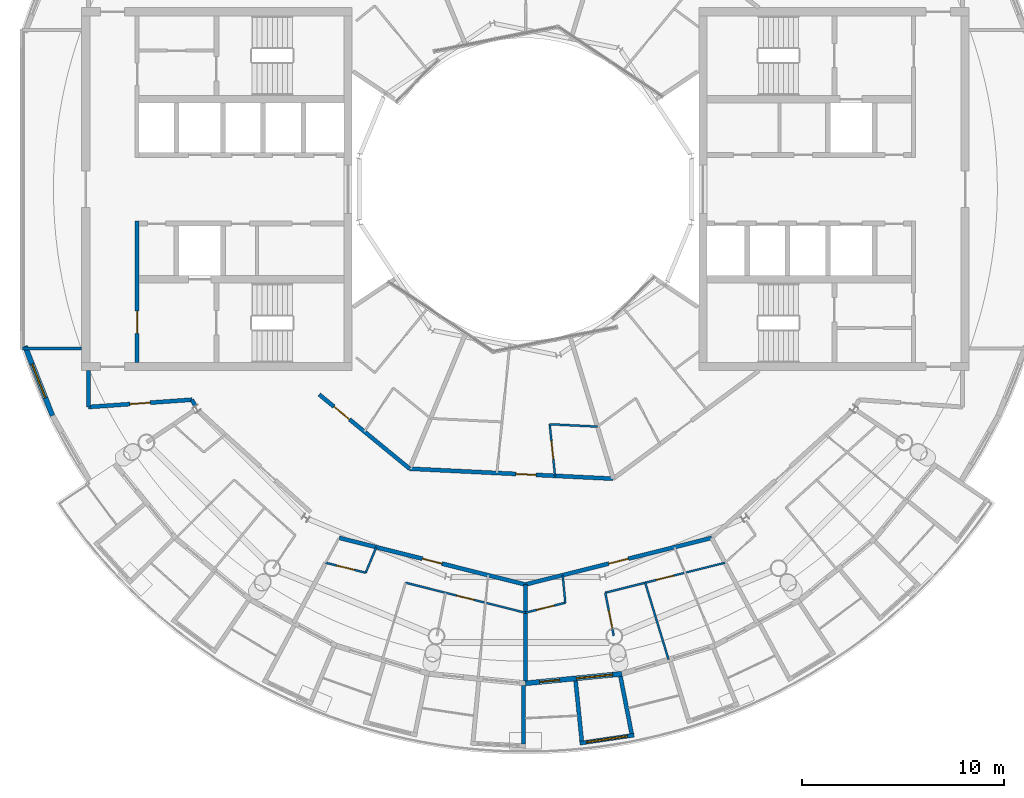
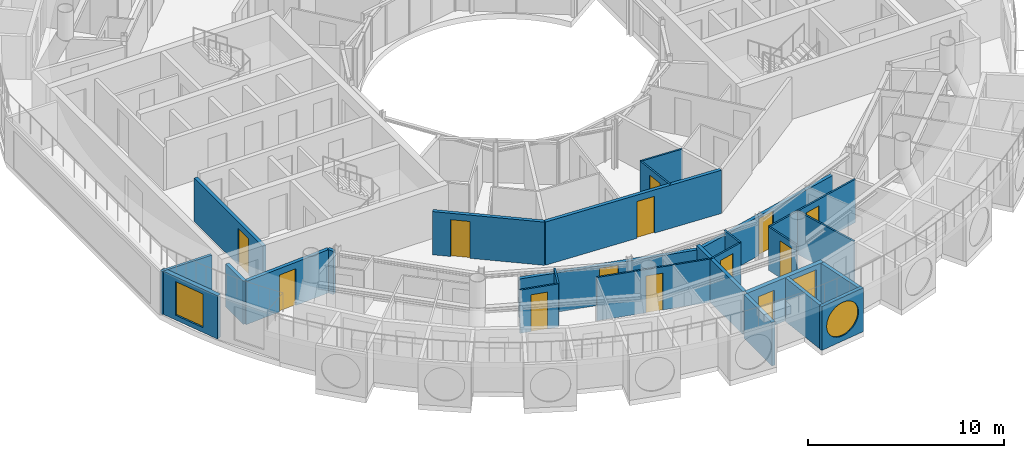
# One storey, part 13 of 25: 26 walls, 13 doors, 3 windows, 16 openings.
"""IFC4 building model written with IfcOpenShell, lengths in metres."""

from ifc_helpers import new_model, si_unit, direction, frame, frame_2d, origin, place, context, subcontext, project, spatial, rectangle, circle, extrude, material, layer, layer_set, type_object, element, fill, save


model = new_model("IFC4")

# Units and contexts
model_context = context("Model", 3, precision=1e-05, world=origin(), true_north=direction((0.0, 1.0)))
body_context = subcontext(model_context, "Body", "Model", "MODEL_VIEW")
ifc_project = project(units=[si_unit("LENGTHUNIT", "METRE"), si_unit("AREAUNIT", "SQUARE_METRE"), si_unit("VOLUMEUNIT", "CUBIC_METRE"), si_unit("PLANEANGLEUNIT", "RADIAN"), si_unit("MASSUNIT", "GRAM", prefix="KILO")], contexts=[model_context])

# Site, building, storey
site_placement = place(None, origin())
site = spatial("IfcSite", under=ifc_project, at=site_placement, CompositionType="ELEMENT")
building_placement = place(site_placement, origin())
building = spatial("IfcBuilding", under=site, at=building_placement, Name="Maasbend Ring Residences", CompositionType="ELEMENT")
storey_placement = place(building_placement, frame((0.0, 0.0, 246.25)))
storey = spatial("IfcBuildingStorey", under=building, at=storey_placement, Name="L71", CompositionType="ELEMENT", Elevation=246.25)

# Wall
ifc_material_1 = material(Name="Concrete C30/37", Category="concrete")
ifc_layer_1 = layer(ifc_material_1, 0.199951171875)
ifc_layer_set_1 = layer_set([ifc_layer_1], Name="Concrete C30/37")
wall_type_1 = type_object("IfcWallType", Name="CORRIDOR WALL 200 CONCRETE", PredefinedType="PARTITIONING", material=ifc_layer_set_1)
wall_1_placement = place(storey_placement, frame((-16.534912109375, -10.43701171875, 0.0), z_axis=(0.0, 0.0, 1.0), x_axis=(0.465802239822, -0.884888848035, 0.0)))
element("IfcWall", 1, at=wall_1_placement, inside=storey, type_object=wall_type_1, Name="U-L71-w011", PredefinedType="PARTITIONING", context=body_context, shape_type="SweptSolid", body=[
    extrude(rectangle(XDim=0.360595703125, YDim=0.199951171875, at=frame_2d((0.18017578125, 0.0))), origin(), (0.0, 0.0, 1.0), 2.699951171875),
])

# Wall, opening, door
wall_2_placement = place(storey_placement, frame((-9.237060546875, -17.287109375, 0.0), z_axis=(0.0, 0.0, 1.0), x_axis=(0.970050470638, -0.242903446691, 0.0)))
wall_2 = element("IfcWall", 2, at=wall_2_placement, inside=storey, type_object=wall_type_1, Name="U-L71-w014", PredefinedType="PARTITIONING", context=body_context, shape_type="SweptSolid", body=[
    extrude(rectangle(XDim=9.5263671875, YDim=0.199951171875, at=frame_2d((4.76318359375, 0.0))), origin(), (0.0, 0.0, 1.0), 2.449951171875),
])
opening_1_placement = place(wall_2_placement, frame((4.260009765625, 0.0, 0.0)))
opening_1 = element("IfcOpeningElement", 3, at=opening_1_placement, cuts=wall_2, Name="Opening D-7137", PredefinedType="OPENING", context=body_context, shape_type="SweptSolid", body=[
    extrude(rectangle(XDim=1.0, YDim=2.300048828125, at=frame_2d((0.5, 1.14990234375))), frame((0.0, 0.10986328125, 0.0), z_axis=(0.0, -1.0, 0.0), x_axis=(1.0, 0.0, 0.0)), (0.0, 0.0, 1.0), 0.219970703125),
])
ifc_material_2 = material(Name="Timber, fire-rated, painted", Category="wood")
door_type_1 = type_object("IfcDoorType", Name="FLAT ENTRANCE DOOR 1000 X 2300 FIRE-RATED", OperationType="NOTDEFINED", PredefinedType="DOOR", material=ifc_material_2)
door_1_placement = place(opening_1_placement, origin())
door_1 = element("IfcDoor", 4, at=door_1_placement, inside=storey, type_object=door_type_1, Name="D-7137", OperationType="SINGLE_SWING_LEFT", OverallHeight=2.300048828125, OverallWidth=1.0, PredefinedType="DOOR", context=body_context, shape_type="SweptSolid", body=[
    extrude(rectangle(XDim=1.0, YDim=2.300048828125, at=frame_2d((0.5, 1.14990234375))), frame((0.0, 0.02490234375, 0.0), z_axis=(0.0, -1.0, 0.0), x_axis=(1.0, 0.0, 0.0)), (0.0, 0.0, 1.0), 0.050048828125),
])
fill(opening_1, door_1)

wall_3_placement = place(storey_placement, frame((-0.0009765625, -19.60009765625, 0.0), z_axis=(0.0, 0.0, 1.0), x_axis=(0.970038381136, 0.242951721795, 0.0)))
wall_3 = element("IfcWall", 5, at=wall_3_placement, inside=storey, type_object=wall_type_1, Name="U-L71-w015", PredefinedType="PARTITIONING", context=body_context, shape_type="SweptSolid", body=[
    extrude(rectangle(XDim=9.525390625, YDim=0.199951171875, at=frame_2d((4.7626953125, 0.0))), origin(), (0.0, 0.0, 1.0), 2.449951171875),
])
opening_2_placement = place(wall_3_placement, frame((4.26611328125, 0.0, 0.0)))
opening_2 = element("IfcOpeningElement", 6, at=opening_2_placement, cuts=wall_3, Name="Opening D-7143", PredefinedType="OPENING", context=body_context, shape_type="SweptSolid", body=[
    extrude(rectangle(XDim=1.0, YDim=2.300048828125, at=frame_2d((0.5, 1.14990234375))), frame((0.0, 0.10986328125, 0.0), z_axis=(0.0, -1.0, 0.0), x_axis=(1.0, 0.0, 0.0)), (0.0, 0.0, 1.0), 0.219970703125),
])
door_2_placement = place(opening_2_placement, origin())
door_2 = element("IfcDoor", 7, at=door_2_placement, inside=storey, type_object=door_type_1, Name="D-7143", OperationType="SINGLE_SWING_RIGHT", OverallHeight=2.300048828125, OverallWidth=1.0, PredefinedType="DOOR", context=body_context, shape_type="SweptSolid", body=[
    extrude(rectangle(XDim=1.0, YDim=2.300048828125, at=frame_2d((0.5, 1.14990234375))), frame((0.0, 0.02490234375, 0.0), z_axis=(0.0, -1.0, 0.0), x_axis=(1.0, 0.0, 0.0)), (0.0, 0.0, 1.0), 0.050048828125),
])
fill(opening_2, door_2)

wall_4_placement = place(storey_placement, frame((-10.22607421875, -10.177001953125, 0.0), z_axis=(0.0, 0.0, 1.0), x_axis=(0.773071783484, -0.634318545828, 0.0)))
wall_4 = element("IfcWall", 8, at=wall_4_placement, inside=storey, type_object=wall_type_1, Name="U-L71-w017", PredefinedType="PARTITIONING", context=body_context, shape_type="SweptSolid", body=[
    extrude(rectangle(XDim=5.802978515625, YDim=0.199951171875, at=frame_2d((2.9013671875, 0.0))), origin(), (0.0, 0.0, 1.0), 2.699951171875),
])
opening_3_placement = place(wall_4_placement, frame((0.948974609375, 0.0, 0.0)))
opening_3 = element("IfcOpeningElement", 9, at=opening_3_placement, cuts=wall_4, Name="Opening D-7155", PredefinedType="OPENING", context=body_context, shape_type="SweptSolid", body=[
    extrude(rectangle(XDim=1.0, YDim=2.300048828125, at=frame_2d((0.5, 1.14990234375))), frame((0.0, 0.10986328125, 0.0), z_axis=(0.0, -1.0, 0.0), x_axis=(1.0, 0.0, 0.0)), (0.0, 0.0, 1.0), 0.219970703125),
])
door_3_placement = place(opening_3_placement, origin())
door_3 = element("IfcDoor", 10, at=door_3_placement, inside=storey, type_object=door_type_1, Name="D-7155", OperationType="SINGLE_SWING_LEFT", OverallHeight=2.300048828125, OverallWidth=1.0, PredefinedType="DOOR", context=body_context, shape_type="SweptSolid", body=[
    extrude(rectangle(XDim=1.0, YDim=2.300048828125, at=frame_2d((0.5, 1.14990234375))), frame((0.0, 0.02490234375, 0.0), z_axis=(0.0, -1.0, 0.0), x_axis=(1.0, 0.0, 0.0)), (0.0, 0.0, 1.0), 0.050048828125),
])
fill(opening_3, door_3)

wall_5_placement = place(storey_placement, frame((-5.737060546875, -13.85888671875, 0.0), z_axis=(0.0, 0.0, 1.0), x_axis=(0.998799182242, -0.048991770265, 0.0)))
wall_5 = element("IfcWall", 11, at=wall_5_placement, inside=storey, type_object=wall_type_1, Name="U-L71-w018", PredefinedType="PARTITIONING", context=body_context, shape_type="SweptSolid", body=[
    extrude(rectangle(XDim=10.106201171875, YDim=0.199951171875, at=frame_2d((5.05322265625, 0.0))), origin(), (0.0, 0.0, 1.0), 2.699951171875),
])
opening_4_placement = place(wall_5_placement, frame((5.27001953125, 0.0, 0.0)))
opening_4 = element("IfcOpeningElement", 12, at=opening_4_placement, cuts=wall_5, Name="Opening D-7158", PredefinedType="OPENING", context=body_context, shape_type="SweptSolid", body=[
    extrude(rectangle(XDim=1.0, YDim=2.300048828125, at=frame_2d((0.5, 1.14990234375))), frame((0.0, 0.10986328125, 0.0), z_axis=(0.0, -1.0, 0.0), x_axis=(1.0, 0.0, 0.0)), (0.0, 0.0, 1.0), 0.219970703125),
])
door_4_placement = place(opening_4_placement, origin())
door_4 = element("IfcDoor", 13, at=door_4_placement, inside=storey, type_object=door_type_1, Name="D-7158", OperationType="SINGLE_SWING_RIGHT", OverallHeight=2.300048828125, OverallWidth=1.0, PredefinedType="DOOR", context=body_context, shape_type="SweptSolid", body=[
    extrude(rectangle(XDim=1.0, YDim=2.300048828125, at=frame_2d((0.5, 1.14990234375))), frame((0.0, 0.02490234375, 0.0), z_axis=(0.0, -1.0, 0.0), x_axis=(1.0, 0.0, 0.0)), (0.0, 0.0, 1.0), 0.050048828125),
])
fill(opening_4, door_4)

wall_6_placement = place(storey_placement, frame((-21.675048828125, -10.800048828125, 0.0), z_axis=(0.0, 0.0, 1.0), x_axis=(0.997515141784, 0.070452408845, 0.0)))
wall_6 = element("IfcWall", 14, at=wall_6_placement, inside=storey, type_object=wall_type_1, Name="U-L71-w026", PredefinedType="PARTITIONING", context=body_context, shape_type="SweptSolid", body=[
    extrude(rectangle(XDim=5.15283203125, YDim=0.199951171875, at=frame_2d((2.576416015625, 0.0))), origin(), (0.0, 0.0, 1.0), 2.699951171875),
])
opening_5_placement = place(wall_6_placement, frame((2.075927734375, 0.0, 0.0)))
opening_5 = element("IfcOpeningElement", 15, at=opening_5_placement, cuts=wall_6, Name="Opening D-7166", PredefinedType="OPENING", context=body_context, shape_type="SweptSolid", body=[
    extrude(rectangle(XDim=1.0, YDim=2.300048828125, at=frame_2d((0.5, 1.14990234375))), frame((0.0, 0.10986328125, 0.0), z_axis=(0.0, -1.0, 0.0), x_axis=(1.0, 0.0, 0.0)), (0.0, 0.0, 1.0), 0.219970703125),
])
ifc_material_3 = material(Name="Timber, painted", Category="wood")
door_type_2 = type_object("IfcDoorType", Name="ROOM DOOR 1000 X 2300", OperationType="NOTDEFINED", PredefinedType="DOOR", material=ifc_material_3)
door_5_placement = place(opening_5_placement, origin())
door_5 = element("IfcDoor", 16, at=door_5_placement, inside=storey, type_object=door_type_2, Name="D-7166", OperationType="SINGLE_SWING_RIGHT", OverallHeight=2.300048828125, OverallWidth=1.0, PredefinedType="DOOR", context=body_context, shape_type="SweptSolid", body=[
    extrude(rectangle(XDim=1.0, YDim=2.300048828125, at=frame_2d((0.5, 1.14990234375))), frame((0.0, 0.02490234375, 0.0), z_axis=(0.0, -1.0, 0.0), x_axis=(1.0, 0.0, 0.0)), (0.0, 0.0, 1.0), 0.050048828125),
])
fill(opening_5, door_5)

# Walls
wall_7_placement = place(storey_placement, frame((-21.675048828125, -10.800048828125, 0.0), z_axis=(0.0, 0.0, 1.0), x_axis=(0.0, 1.0, 0.0)))
element("IfcWall", 17, at=wall_7_placement, inside=storey, type_object=wall_type_1, Name="U-L71-w119", PredefinedType="PARTITIONING", context=body_context, shape_type="SweptSolid", body=[
    extrude(rectangle(XDim=1.800048828125, YDim=0.199951171875, at=frame_2d((0.89990234375, 0.0))), origin(), (0.0, 0.0, 1.0), 2.699951171875),
])
ifc_material_4 = material(Name="Pale anodised aluminium panel", Category="aluminium")
ifc_layer_2 = layer(ifc_material_4, 0.199951171875)
ifc_layer_set_2 = layer_set([ifc_layer_2], Name="EW-BOX")
wall_type_2 = type_object("IfcWallType", Name="EW-BOX", PredefinedType="SOLIDWALL", material=ifc_layer_set_2)
wall_8_placement = place(storey_placement, frame((-0.089111328125, -24.616943359375, -0.030029296875), z_axis=(0.0, 0.0, 1.0), x_axis=(-0.003811916396, -0.99999273462, 0.0)))
element("IfcWall", 18, at=wall_8_placement, inside=storey, type_object=wall_type_2, Name="Box side wall S10 right", PredefinedType="SOLIDWALL", context=body_context, shape_type="SweptSolid", body=[
    extrude(rectangle(XDim=2.882080078125, YDim=0.199951171875, at=frame_2d((1.44091796875, 0.0))), origin(), (0.0, 0.0, 1.0), 2.72998046875),
])

# Wall, opening, window
wall_9_placement = place(storey_placement, frame((2.699951171875, -27.468017578125, -0.030029296875), z_axis=(0.0, 0.0, 1.0), x_axis=(0.989173545099, 0.146750460568, 0.0)))
wall_9 = element("IfcWall", 19, at=wall_9_placement, inside=storey, type_object=wall_type_2, Name="Box front S12", PredefinedType="SOLIDWALL", context=body_context, shape_type="SweptSolid", body=[
    extrude(rectangle(XDim=2.718505859375, YDim=0.199951171875, at=frame_2d((1.359375, 0.0))), origin(), (0.0, 0.0, 1.0), 2.72998046875),
])
opening_6_placement = place(wall_9_placement, frame((0.319091796875, 0.0, 0.330078125)))
opening_6 = element("IfcOpeningElement", 20, at=opening_6_placement, cuts=wall_9, Name="Opening W-RD", PredefinedType="OPENING", context=body_context, shape_type="SweptSolid", body=[
    extrude(circle(Radius=1.0400390625, at=frame_2d((1.0400390625, 1.0400390625))), frame((0.0, 0.10986328125, 0.0), z_axis=(0.0, -1.0, 0.0), x_axis=(1.0, 0.0, 0.0)), (0.0, 0.0, 1.0), 0.219970703125),
])
ifc_material_5 = material(Name="Aluminium and clear glass", Category="aluminium")
window_type_1 = type_object("IfcWindowType", Name="W-RD", PartitioningType="SINGLE_PANEL", PredefinedType="WINDOW", material=ifc_material_5)
window_1_placement = place(opening_6_placement, origin())
window_1 = element("IfcWindow", 21, at=window_1_placement, inside=storey, type_object=window_type_1, Name="Round window S12", OverallHeight=2.080078125, OverallWidth=2.080078125, PartitioningType="SINGLE_PANEL", PredefinedType="WINDOW", context=body_context, shape_type="SweptSolid", body=[
    extrude(circle(Radius=1.0400390625, at=frame_2d((1.0400390625, 1.0400390625))), frame((0.0, 0.030029296875, 0.0), z_axis=(0.0, -1.0, 0.0), x_axis=(1.0, 0.0, 0.0)), (0.0, 0.0, 1.0), 0.06005859375),
])
fill(opening_6, window_1)

# Walls
wall_10_placement = place(storey_placement, frame((2.489990234375, -24.3798828125, -0.030029296875), z_axis=(0.0, 0.0, 1.0), x_axis=(0.101894312119, -0.994795229762, 0.0)))
element("IfcWall", 22, at=wall_10_placement, inside=storey, type_object=wall_type_2, Name="Box side wall S12 left", PredefinedType="SOLIDWALL", context=body_context, shape_type="SweptSolid", body=[
    extrude(rectangle(XDim=2.99267578125, YDim=0.199951171875, at=frame_2d((1.496337890625, 0.0))), origin(), (0.0, 0.0, 1.0), 2.72998046875),
])
wall_11_placement = place(storey_placement, frame((4.715087890625, -24.160888671875, -0.030029296875), z_axis=(0.0, 0.0, 1.0), x_axis=(0.191440729923, -0.981504175705, 0.0)))
element("IfcWall", 23, at=wall_11_placement, inside=storey, type_object=wall_type_2, Name="Box side wall S12 right", PredefinedType="SOLIDWALL", context=body_context, shape_type="SweptSolid", body=[
    extrude(rectangle(XDim=2.88330078125, YDim=0.199951171875, at=frame_2d((1.441650390625, 0.0))), origin(), (0.0, 0.0, 1.0), 2.72998046875),
])

# Wall, openings, door, window
ifc_material_6 = material(Name="Aluminium clad insulated panel", Category="aluminium")
ifc_layer_3 = layer(ifc_material_6, 0.25)
ifc_layer_set_3 = layer_set([ifc_layer_3], Name="EW-GL")
wall_type_3 = type_object("IfcWallType", Name="EW-GL", PredefinedType="SOLIDWALL", material=ifc_layer_set_3)
wall_12_placement = place(storey_placement, frame((0.0, -24.5, 0.0), z_axis=(0.0, 0.0, 1.0), x_axis=(0.995181568754, 0.098049197923, 0.0)))
wall_12 = element("IfcWall", 24, at=wall_12_placement, inside=storey, type_object=wall_type_3, Name="External wall S06", PredefinedType="SOLIDWALL", context=body_context, shape_type="SweptSolid", body=[
    extrude(rectangle(XDim=4.80322265625, YDim=0.25, at=frame_2d((2.401611328125, 0.0))), origin(), (0.0, 0.0, 1.0), 2.699951171875),
])
opening_7_placement = place(wall_12_placement, frame((0.70361328125, 0.0, 0.0)))
opening_7 = element("IfcOpeningElement", 25, at=opening_7_placement, cuts=wall_12, Name="Opening D-LG", PredefinedType="OPENING", context=body_context, shape_type="SweptSolid", body=[
    extrude(rectangle(XDim=1.0, YDim=2.199951171875, at=frame_2d((0.5, 1.10009765625))), frame((0.0, 0.135009765625, 0.0), z_axis=(0.0, -1.0, 0.0), x_axis=(1.0, 0.0, 0.0)), (0.0, 0.0, 1.0), 0.27001953125),
])
opening_8_placement = place(wall_12_placement, frame((2.54150390625, 0.0, 0.300048828125)))
opening_8 = element("IfcOpeningElement", 26, at=opening_8_placement, cuts=wall_12, Name="Opening W-BX", PredefinedType="OPENING", context=body_context, shape_type="SweptSolid", body=[
    extrude(rectangle(XDim=1.800048828125, YDim=2.10009765625, at=frame_2d((0.89990234375, 1.050048828125))), frame((0.0, 0.135009765625, 0.0), z_axis=(0.0, -1.0, 0.0), x_axis=(1.0, 0.0, 0.0)), (0.0, 0.0, 1.0), 0.27001953125),
])
ifc_material_7 = material(Name="Aluminium and clear glass", Category="aluminium")
door_type_3 = type_object("IfcDoorType", Name="D-LG", OperationType="SINGLE_SWING_LEFT", PredefinedType="DOOR", material=ifc_material_7)
door_6_placement = place(opening_7_placement, origin())
door_6 = element("IfcDoor", 27, at=door_6_placement, inside=storey, type_object=door_type_3, Name="Loggia door S11", OperationType="SINGLE_SWING_LEFT", OverallHeight=2.199951171875, OverallWidth=1.0, PredefinedType="DOOR", context=body_context, shape_type="SweptSolid", body=[
    extrude(rectangle(XDim=1.0, YDim=2.199951171875, at=frame_2d((0.5, 1.10009765625))), frame((0.0, 0.02490234375, 0.0), z_axis=(0.0, -1.0, 0.0), x_axis=(1.0, 0.0, 0.0)), (0.0, 0.0, 1.0), 0.050048828125),
])
fill(opening_7, door_6)
ifc_material_8 = material(Name="Aluminium and clear glass", Category="aluminium")
window_type_2 = type_object("IfcWindowType", Name="W-BX", PartitioningType="DOUBLE_PANEL_VERTICAL", PredefinedType="WINDOW", material=ifc_material_8)
window_2_placement = place(opening_8_placement, origin())
window_2 = element("IfcWindow", 28, at=window_2_placement, inside=storey, type_object=window_type_2, Name="Window S12 room to box", OverallHeight=2.10009765625, OverallWidth=1.800048828125, PartitioningType="SINGLE_PANEL", PredefinedType="WINDOW", context=body_context, shape_type="SweptSolid", body=[
    extrude(rectangle(XDim=1.800048828125, YDim=2.10009765625, at=frame_2d((0.89990234375, 1.050048828125))), frame((0.0, 0.030029296875, 0.0), z_axis=(0.0, -1.0, 0.0), x_axis=(1.0, 0.0, 0.0)), (0.0, 0.0, 1.0), 0.06005859375),
])
fill(opening_8, window_2)

# Wall, opening, window
ifc_material_9 = material(Name="Aluminium clad insulated panel", Category="aluminium")
ifc_layer_4 = layer(ifc_material_9, 0.25)
ifc_layer_set_4 = layer_set([ifc_layer_4], Name="EW-HORN")
wall_type_4 = type_object("IfcWallType", Name="EW-HORN", PredefinedType="SOLIDWALL", material=ifc_layer_set_4)
wall_13_placement = place(storey_placement, frame((-24.80908203125, -7.779052734375, 0.0), z_axis=(0.0, 0.0, 1.0), x_axis=(0.366351636034, -0.930476479432, 0.0)))
wall_13 = element("IfcWall", 29, at=wall_13_placement, inside=storey, type_object=wall_type_4, Name="Horn wall 3.1", PredefinedType="SOLIDWALL", context=body_context, shape_type="SweptSolid", body=[
    extrude(rectangle(XDim=3.70458984375, YDim=0.25, at=frame_2d((1.852294921875, 0.0))), origin(), (0.0, 0.0, 1.0), 2.699951171875),
])
opening_9_placement = place(wall_13_placement, frame((0.952392578125, 0.0, 0.300048828125)))
opening_9 = element("IfcOpeningElement", 30, at=opening_9_placement, cuts=wall_13, Name="Opening W-BX", PredefinedType="OPENING", context=body_context, shape_type="SweptSolid", body=[
    extrude(rectangle(XDim=1.800048828125, YDim=2.10009765625, at=frame_2d((0.89990234375, 1.050048828125))), frame((0.0, 0.135009765625, 0.0), z_axis=(0.0, -1.0, 0.0), x_axis=(1.0, 0.0, 0.0)), (0.0, 0.0, 1.0), 0.27001953125),
])
window_3_placement = place(opening_9_placement, origin())
window_3 = element("IfcWindow", 31, at=window_3_placement, inside=storey, type_object=window_type_2, Name="Horn window 3.1", OverallHeight=2.10009765625, OverallWidth=1.800048828125, PartitioningType="SINGLE_PANEL", PredefinedType="WINDOW", context=body_context, shape_type="SweptSolid", body=[
    extrude(rectangle(XDim=1.800048828125, YDim=2.10009765625, at=frame_2d((0.89990234375, 1.050048828125))), frame((0.0, 0.030029296875, 0.0), z_axis=(0.0, -1.0, 0.0), x_axis=(1.0, 0.0, 0.0)), (0.0, 0.0, 1.0), 0.06005859375),
])
fill(opening_9, window_3)

# Wall, opening, door
ifc_material_10 = material(Name="Gypsum board on steel studs", Category="steel")
ifc_layer_5 = layer(ifc_material_10, 0.10009765625)
ifc_layer_set_5 = layer_set([ifc_layer_5], Name="PARTITION 100 GYPSUM")
wall_type_5 = type_object("IfcWallType", Name="PARTITION 100 GYPSUM", PredefinedType="PARTITIONING", material=ifc_layer_set_5)
wall_14_placement = place(storey_placement, frame((-9.89892578125, -18.52001953125, 0.0), z_axis=(0.0, 0.0, 1.0), x_axis=(0.970015724797, -0.243042164339, 0.0)))
wall_14 = element("IfcWall", 32, at=wall_14_placement, inside=storey, type_object=wall_type_5, Name="U-L71-w005", PredefinedType="PARTITIONING", context=body_context, shape_type="SweptSolid", body=[
    extrude(rectangle(XDim=2.041259765625, YDim=0.10009765625, at=frame_2d((1.0205078125, 0.0))), origin(), (0.0, 0.0, 1.0), 2.699951171875),
])
opening_10_placement = place(wall_14_placement, frame((0.571044921875, 0.0, 0.0)))
opening_10 = element("IfcOpeningElement", 33, at=opening_10_placement, cuts=wall_14, Name="Opening D-7138", PredefinedType="OPENING", context=body_context, shape_type="SweptSolid", body=[
    extrude(rectangle(XDim=0.89990234375, YDim=2.300048828125, at=frame_2d((0.449951171875, 1.14990234375))), frame((0.0, 0.06005859375, 0.0), z_axis=(0.0, -1.0, 0.0), x_axis=(1.0, 0.0, 0.0)), (0.0, 0.0, 1.0), 0.1201171875),
])
ifc_material_11 = material(Name="Timber, painted", Category="wood")
door_type_4 = type_object("IfcDoorType", Name="INTERNAL DOOR 900 X 2300", OperationType="NOTDEFINED", PredefinedType="DOOR", material=ifc_material_11)
door_7_placement = place(opening_10_placement, origin())
door_7 = element("IfcDoor", 34, at=door_7_placement, inside=storey, type_object=door_type_4, Name="D-7138", OperationType="SINGLE_SWING_RIGHT", OverallHeight=2.300048828125, OverallWidth=0.89990234375, PredefinedType="DOOR", context=body_context, shape_type="SweptSolid", body=[
    extrude(rectangle(XDim=0.89990234375, YDim=2.300048828125, at=frame_2d((0.449951171875, 1.14990234375))), frame((0.0, 0.02490234375, 0.0), z_axis=(0.0, -1.0, 0.0), x_axis=(1.0, 0.0, 0.0)), (0.0, 0.0, 1.0), 0.050048828125),
])
fill(opening_10, door_7)

wall_15_placement = place(storey_placement, frame((-5.93994140625, -19.511962890625, 0.0), z_axis=(0.0, 0.0, 1.0), x_axis=(0.970025123496, -0.243004649721, 0.0)))
wall_15 = element("IfcWall", 35, at=wall_15_placement, inside=storey, type_object=wall_type_5, Name="U-L71-w006", PredefinedType="PARTITIONING", context=body_context, shape_type="SweptSolid", body=[
    extrude(rectangle(XDim=6.12353515625, YDim=0.10009765625, at=frame_2d((3.061767578125, 0.0))), origin(), (0.0, 0.0, 1.0), 2.699951171875),
])
opening_11_placement = place(wall_15_placement, frame((2.612060546875, 0.0, 0.0)))
opening_11 = element("IfcOpeningElement", 36, at=opening_11_placement, cuts=wall_15, Name="Opening D-7141", PredefinedType="OPENING", context=body_context, shape_type="SweptSolid", body=[
    extrude(rectangle(XDim=0.89990234375, YDim=2.300048828125, at=frame_2d((0.449951171875, 1.14990234375))), frame((0.0, 0.06005859375, 0.0), z_axis=(0.0, -1.0, 0.0), x_axis=(1.0, 0.0, 0.0)), (0.0, 0.0, 1.0), 0.1201171875),
])
door_8_placement = place(opening_11_placement, origin())
door_8 = element("IfcDoor", 37, at=door_8_placement, inside=storey, type_object=door_type_4, Name="D-7141", OperationType="SINGLE_SWING_RIGHT", OverallHeight=2.300048828125, OverallWidth=0.89990234375, PredefinedType="DOOR", context=body_context, shape_type="SweptSolid", body=[
    extrude(rectangle(XDim=0.89990234375, YDim=2.300048828125, at=frame_2d((0.449951171875, 1.14990234375))), frame((0.0, 0.02490234375, 0.0), z_axis=(0.0, -1.0, 0.0), x_axis=(1.0, 0.0, 0.0)), (0.0, 0.0, 1.0), 0.050048828125),
])
fill(opening_11, door_8)

wall_16_placement = place(storey_placement, frame((0.0, -21.0, 0.0), z_axis=(0.0, 0.0, 1.0), x_axis=(0.970015724797, 0.243042164339, 0.0)))
wall_16 = element("IfcWall", 38, at=wall_16_placement, inside=storey, type_object=wall_type_5, Name="U-L71-w007", PredefinedType="PARTITIONING", context=body_context, shape_type="SweptSolid", body=[
    extrude(rectangle(XDim=2.041259765625, YDim=0.10009765625, at=frame_2d((1.0205078125, 0.0))), origin(), (0.0, 0.0, 1.0), 2.699951171875),
])
opening_12_placement = place(wall_16_placement, frame((0.571044921875, 0.0, 0.0)))
opening_12 = element("IfcOpeningElement", 39, at=opening_12_placement, cuts=wall_16, Name="Opening D-7144", PredefinedType="OPENING", context=body_context, shape_type="SweptSolid", body=[
    extrude(rectangle(XDim=0.89990234375, YDim=2.300048828125, at=frame_2d((0.449951171875, 1.14990234375))), frame((0.0, 0.06005859375, 0.0), z_axis=(0.0, -1.0, 0.0), x_axis=(1.0, 0.0, 0.0)), (0.0, 0.0, 1.0), 0.1201171875),
])
door_9_placement = place(opening_12_placement, origin())
door_9 = element("IfcDoor", 40, at=door_9_placement, inside=storey, type_object=door_type_4, Name="D-7144", OperationType="SINGLE_SWING_LEFT", OverallHeight=2.300048828125, OverallWidth=0.89990234375, PredefinedType="DOOR", context=body_context, shape_type="SweptSolid", body=[
    extrude(rectangle(XDim=0.89990234375, YDim=2.300048828125, at=frame_2d((0.449951171875, 1.14990234375))), frame((0.0, 0.02490234375, 0.0), z_axis=(0.0, -1.0, 0.0), x_axis=(1.0, 0.0, 0.0)), (0.0, 0.0, 1.0), 0.050048828125),
])
fill(opening_12, door_9)

wall_17_placement = place(storey_placement, frame((3.958984375, -20.008056640625, 0.0), z_axis=(0.0, 0.0, 1.0), x_axis=(0.970025123496, 0.243004649721, 0.0)))
wall_17 = element("IfcWall", 41, at=wall_17_placement, inside=storey, type_object=wall_type_5, Name="U-L71-w008", PredefinedType="PARTITIONING", context=body_context, shape_type="SweptSolid", body=[
    extrude(rectangle(XDim=6.12353515625, YDim=0.10009765625, at=frame_2d((3.061767578125, 0.0))), origin(), (0.0, 0.0, 1.0), 2.699951171875),
])
opening_13_placement = place(wall_17_placement, frame((2.612060546875, 0.0, 0.0)))
opening_13 = element("IfcOpeningElement", 42, at=opening_13_placement, cuts=wall_17, Name="Opening D-7147", PredefinedType="OPENING", context=body_context, shape_type="SweptSolid", body=[
    extrude(rectangle(XDim=0.89990234375, YDim=2.300048828125, at=frame_2d((0.449951171875, 1.14990234375))), frame((0.0, 0.06005859375, 0.0), z_axis=(0.0, -1.0, 0.0), x_axis=(1.0, 0.0, 0.0)), (0.0, 0.0, 1.0), 0.1201171875),
])
door_10_placement = place(opening_13_placement, origin())
door_10 = element("IfcDoor", 43, at=door_10_placement, inside=storey, type_object=door_type_4, Name="D-7147", OperationType="SINGLE_SWING_LEFT", OverallHeight=2.300048828125, OverallWidth=0.89990234375, PredefinedType="DOOR", context=body_context, shape_type="SweptSolid", body=[
    extrude(rectangle(XDim=0.89990234375, YDim=2.300048828125, at=frame_2d((0.449951171875, 1.14990234375))), frame((0.0, 0.02490234375, 0.0), z_axis=(0.0, -1.0, 0.0), x_axis=(1.0, 0.0, 0.0)), (0.0, 0.0, 1.0), 0.050048828125),
])
fill(opening_13, door_10)

# Wall
wall_18_placement = place(storey_placement, frame((1.205078125, -11.654052734375, 0.0), z_axis=(0.0, 0.0, 1.0), x_axis=(0.99880094701, -0.04895577854, 0.0)))
element("IfcWall", 44, at=wall_18_placement, inside=storey, type_object=wall_type_5, Name="U-L71-w023", PredefinedType="PARTITIONING", context=body_context, shape_type="SweptSolid", body=[
    extrude(rectangle(XDim=2.368896484375, YDim=0.10009765625, at=frame_2d((1.1845703125, 0.0))), origin(), (0.0, 0.0, 1.0), 2.699951171875),
])

# Wall, opening, door
wall_19_placement = place(storey_placement, frame((1.205078125, -11.654052734375, 0.0), z_axis=(0.0, 0.0, 1.0), x_axis=(0.103009280192, -0.994680394998, 0.0)))
wall_19 = element("IfcWall", 45, at=wall_19_placement, inside=storey, type_object=wall_type_5, Name="U-L71-w062", PredefinedType="PARTITIONING", context=body_context, shape_type="SweptSolid", body=[
    extrude(rectangle(XDim=2.571533203125, YDim=0.10009765625, at=frame_2d((1.28564453125, 0.0))), origin(), (0.0, 0.0, 1.0), 2.699951171875),
])
opening_14_placement = place(wall_19_placement, frame((0.8359375, 0.0, 0.0)))
opening_14 = element("IfcOpeningElement", 46, at=opening_14_placement, cuts=wall_19, Name="Opening D-7159", PredefinedType="OPENING", context=body_context, shape_type="SweptSolid", body=[
    extrude(rectangle(XDim=0.89990234375, YDim=2.300048828125, at=frame_2d((0.449951171875, 1.14990234375))), frame((0.0, 0.06005859375, 0.0), z_axis=(0.0, -1.0, 0.0), x_axis=(1.0, 0.0, 0.0)), (0.0, 0.0, 1.0), 0.1201171875),
])
door_11_placement = place(opening_14_placement, origin())
door_11 = element("IfcDoor", 47, at=door_11_placement, inside=storey, type_object=door_type_4, Name="D-7159", OperationType="SINGLE_SWING_RIGHT", OverallHeight=2.300048828125, OverallWidth=0.89990234375, PredefinedType="DOOR", context=body_context, shape_type="SweptSolid", body=[
    extrude(rectangle(XDim=0.89990234375, YDim=2.300048828125, at=frame_2d((0.449951171875, 1.14990234375))), frame((0.0, 0.02490234375, 0.0), z_axis=(0.0, -1.0, 0.0), x_axis=(1.0, 0.0, 0.0)), (0.0, 0.0, 1.0), 0.050048828125),
])
fill(opening_14, door_11)

# Wall
wall_20_placement = place(storey_placement, frame((1.847900390625, -19.136962890625, 0.0), z_axis=(0.0, 0.0, 1.0), x_axis=(0.096176475296, -0.995364297933, 0.0)))
element("IfcWall", 48, at=wall_20_placement, inside=storey, type_object=wall_type_5, Name="U-L71-w063", PredefinedType="PARTITIONING", context=body_context, shape_type="SweptSolid", body=[
    extrude(rectangle(XDim=1.373291015625, YDim=0.10009765625, at=frame_2d((0.6865234375, 0.0))), origin(), (0.0, 0.0, 1.0), 2.699951171875),
])

# Wall, opening, door
wall_21_placement = place(storey_placement, frame((3.9599609375, -20.008056640625, 0.0), z_axis=(0.0, 0.0, 1.0), x_axis=(0.193873019366, -0.981026631831, 0.0)))
wall_21 = element("IfcWall", 49, at=wall_21_placement, inside=storey, type_object=wall_type_5, Name="U-L71-w068", PredefinedType="PARTITIONING", context=body_context, shape_type="SweptSolid", body=[
    extrude(rectangle(XDim=2.17724609375, YDim=0.10009765625, at=frame_2d((1.088623046875, 0.0))), origin(), (0.0, 0.0, 1.0), 2.699951171875),
])
opening_15_placement = place(wall_21_placement, frame((0.89990234375, 0.0, 0.0)))
opening_15 = element("IfcOpeningElement", 50, at=opening_15_placement, cuts=wall_21, Name="Opening D-7146", PredefinedType="OPENING", context=body_context, shape_type="SweptSolid", body=[
    extrude(rectangle(XDim=0.89990234375, YDim=2.300048828125, at=frame_2d((0.449951171875, 1.14990234375))), frame((0.0, 0.06005859375, 0.0), z_axis=(0.0, -1.0, 0.0), x_axis=(1.0, 0.0, 0.0)), (0.0, 0.0, 1.0), 0.1201171875),
])
door_12_placement = place(opening_15_placement, origin())
door_12 = element("IfcDoor", 51, at=door_12_placement, inside=storey, type_object=door_type_4, Name="D-7146", OperationType="SINGLE_SWING_RIGHT", OverallHeight=2.300048828125, OverallWidth=0.89990234375, PredefinedType="DOOR", context=body_context, shape_type="SweptSolid", body=[
    extrude(rectangle(XDim=0.89990234375, YDim=2.300048828125, at=frame_2d((0.449951171875, 1.14990234375))), frame((0.0, 0.02490234375, 0.0), z_axis=(0.0, -1.0, 0.0), x_axis=(1.0, 0.0, 0.0)), (0.0, 0.0, 1.0), 0.050048828125),
])
fill(opening_15, door_12)

# Walls
wall_22_placement = place(storey_placement, frame((5.93994140625, -19.511962890625, 0.0), z_axis=(0.0, 0.0, 1.0), x_axis=(0.290993158272, -0.956725133901, 0.0)))
element("IfcWall", 52, at=wall_22_placement, inside=storey, type_object=wall_type_5, Name="U-L71-w074", PredefinedType="PARTITIONING", context=body_context, shape_type="SweptSolid", body=[
    extrude(rectangle(XDim=3.979248046875, YDim=0.10009765625, at=frame_2d((1.98974609375, 0.0))), origin(), (0.0, 0.0, 1.0), 2.699951171875),
])
wall_23_placement = place(storey_placement, frame((-7.9189453125, -19.01611328125, 0.0), z_axis=(0.0, 0.0, 1.0), x_axis=(0.383933109884, 0.923360908386, 0.0)))
element("IfcWall", 53, at=wall_23_placement, inside=storey, type_object=wall_type_5, Name="U-L71-w088", PredefinedType="PARTITIONING", context=body_context, shape_type="SweptSolid", body=[
    extrude(rectangle(XDim=1.372314453125, YDim=0.10009765625, at=frame_2d((0.68603515625, 0.0))), origin(), (0.0, 0.0, 1.0), 2.699951171875),
])
ifc_material_12 = material(Name="Gypsum board on steel studs", Category="steel")
ifc_layer_6 = layer(ifc_material_12, 0.14990234375)
ifc_layer_set_6 = layer_set([ifc_layer_6], Name="PARTITION 150 EI 60")
wall_type_6 = type_object("IfcWallType", Name="PARTITION 150 EI 60", PredefinedType="PARTITIONING", material=ifc_layer_set_6)
wall_24_placement = place(storey_placement, frame((-22.0, -7.89990234375, 0.0), z_axis=(0.0, 0.0, 1.0), x_axis=(-1.0, 0.0, 0.0)))
element("IfcWall", 54, at=wall_24_placement, inside=storey, type_object=wall_type_6, Name="L71 core W wall CITN", PredefinedType="PARTITIONING", context=body_context, shape_type="SweptSolid", body=[
    extrude(rectangle(XDim=2.93994140625, YDim=0.14990234375, at=frame_2d((1.469970703125, 0.0))), origin(), (0.0, 0.0, 1.0), 2.699951171875),
])
ifc_material_13 = material(Name="Concrete C30/37", Category="concrete")
ifc_layer_7 = layer(ifc_material_13, 0.199951171875)
ifc_layer_set_7 = layer_set([ifc_layer_7], Name="Concrete C30/37")
wall_type_7 = type_object("IfcWallType", Name="PARTY WALL 200 CONCRETE", PredefinedType="PARTITIONING", material=ifc_layer_set_7)
wall_25_placement = place(storey_placement, frame((0.0, -24.375, 0.0), z_axis=(0.0, 0.0, 1.0), x_axis=(0.0, 1.0, 0.0)))
element("IfcWall", 55, at=wall_25_placement, inside=storey, type_object=wall_type_7, Name="U-L71-w059", PredefinedType="PARTITIONING", context=body_context, shape_type="SweptSolid", body=[
    extrude(rectangle(XDim=4.77490234375, YDim=0.199951171875, at=frame_2d((2.387451171875, 0.0))), origin(), (0.0, 0.0, 1.0), 2.699951171875),
])

# Wall, opening, door
ifc_material_14 = material(Name="Concrete C30/37", Category="concrete")
ifc_layer_8 = layer(ifc_material_14, 0.199951171875)
ifc_layer_set_8 = layer_set([ifc_layer_8], Name="Concrete C30/37")
wall_type_8 = type_object("IfcWallType", Name="SHAFT WALL 200 EI 120", PredefinedType="SOLIDWALL", material=ifc_layer_set_8)
wall_26_placement = place(storey_placement, frame((-19.25, -1.574951171875, 0.0), z_axis=(0.0, 0.0, 1.0), x_axis=(0.0, -1.0, 0.0)))
wall_26 = element("IfcWall", 56, at=wall_26_placement, inside=storey, type_object=wall_type_8, Name="L71 core W wall ENDN", PredefinedType="SOLIDWALL", context=body_context, shape_type="SweptSolid", body=[
    extrude(rectangle(XDim=7.025146484375, YDim=0.199951171875, at=frame_2d((3.5126953125, 0.0))), origin(), (0.0, 0.0, 1.0), 2.699951171875),
])
opening_16_placement = place(wall_26_placement, frame((4.47509765625, 0.0, 0.0)))
opening_16 = element("IfcOpeningElement", 57, at=opening_16_placement, cuts=wall_26, Name="Opening D-W7112", PredefinedType="OPENING", context=body_context, shape_type="SweptSolid", body=[
    extrude(rectangle(XDim=1.10009765625, YDim=2.300048828125, at=frame_2d((0.550048828125, 1.14990234375))), frame((0.0, 0.10986328125, 0.0), z_axis=(0.0, -1.0, 0.0), x_axis=(1.0, 0.0, 0.0)), (0.0, 0.0, 1.0), 0.219970703125),
])
ifc_material_15 = material(Name="Steel, powder coated", Category="steel")
door_type_5 = type_object("IfcDoorType", Name="LOBBY DOOR 1100 X 2300 FD60", OperationType="NOTDEFINED", PredefinedType="DOOR", material=ifc_material_15)
door_13_placement = place(opening_16_placement, origin())
door_13 = element("IfcDoor", 58, at=door_13_placement, inside=storey, type_object=door_type_5, Name="Lobby door L71", OperationType="SINGLE_SWING_LEFT", OverallHeight=2.300048828125, OverallWidth=1.10009765625, PredefinedType="DOOR", context=body_context, shape_type="SweptSolid", body=[
    extrude(rectangle(XDim=1.10009765625, YDim=2.300048828125, at=frame_2d((0.550048828125, 1.14990234375))), frame((0.0, 0.02490234375, 0.0), z_axis=(0.0, -1.0, 0.0), x_axis=(1.0, 0.0, 0.0)), (0.0, 0.0, 1.0), 0.050048828125),
])
fill(opening_16, door_13)

save(model, "model.ifc")
